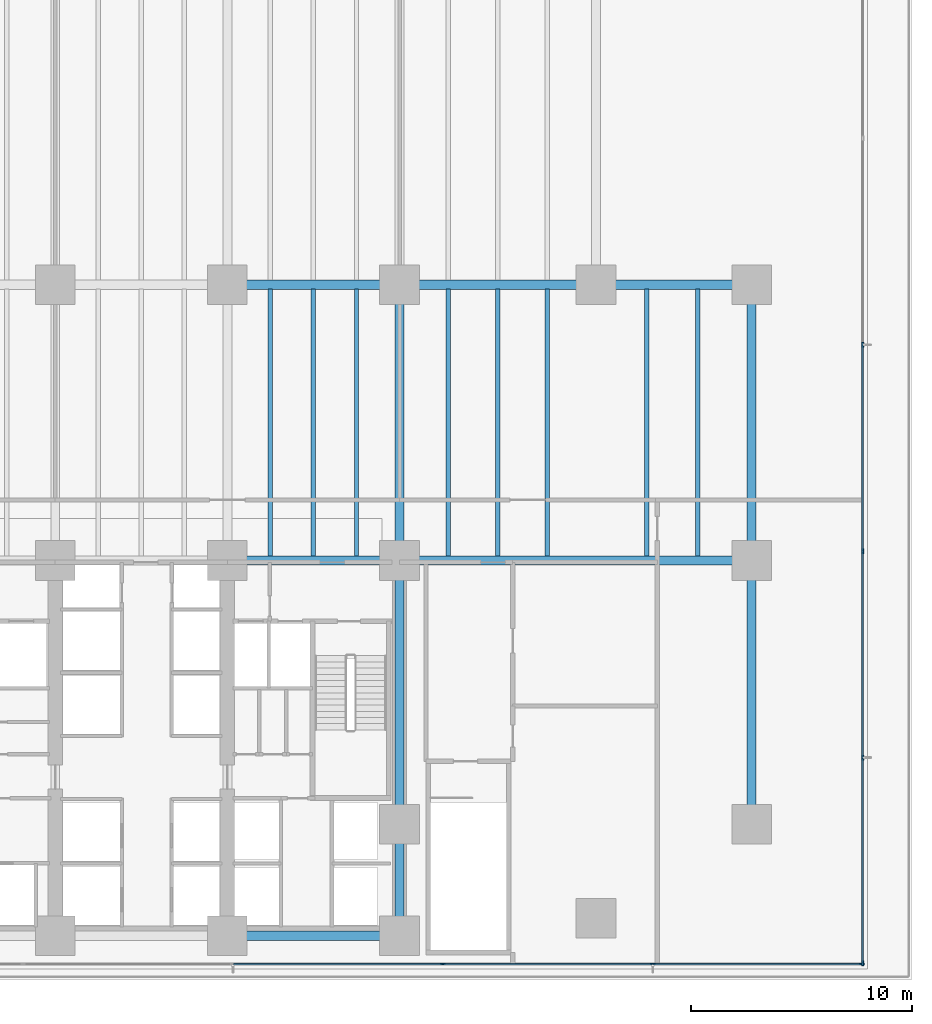
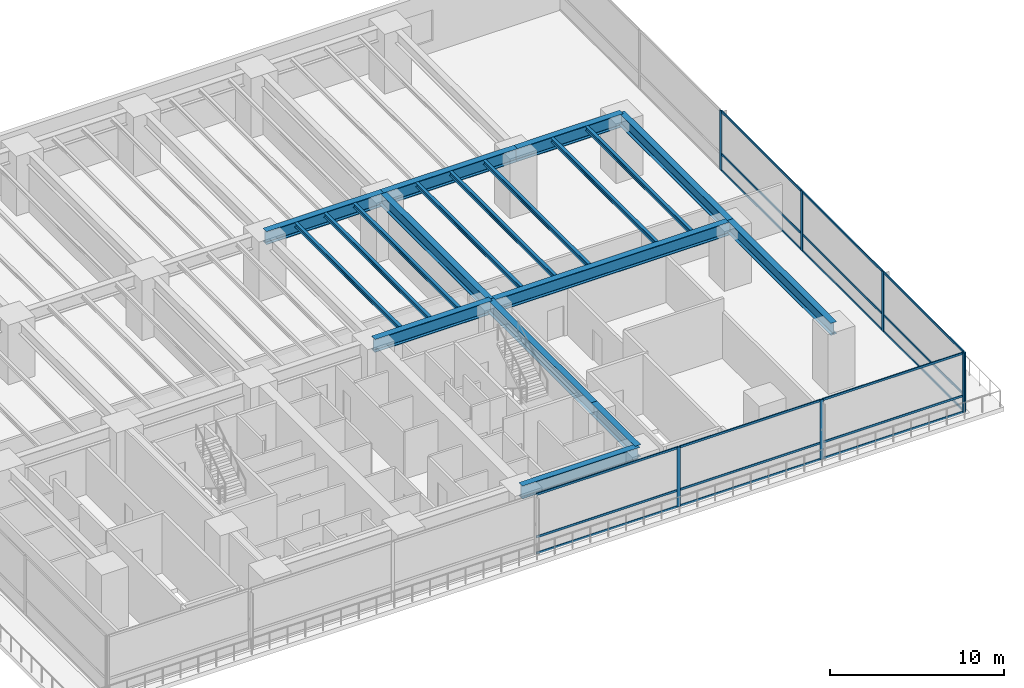
# One storey, part 3 of 21: 25 members, 19 beams, 2 elements without a shape of their own.
"""IFC4 building model written with IfcOpenShell, lengths in metres."""

from ifc_helpers import new_model, si_unit, direction, frame, origin, origin_2d, place, context, subcontext, project, spatial, rectangle, i_section, extrude, material, layer, layer_set, material_profile, profile_set, type_object, element, aggregate, save


model = new_model("IFC4")

# Units and contexts
model_context = context("Model", 3, precision=1e-05, world=origin(), true_north=direction((0.0, 1.0)))
body_context = subcontext(model_context, "Body", "Model", "MODEL_VIEW")
ifc_project = project(units=[si_unit("LENGTHUNIT", "METRE"), si_unit("AREAUNIT", "SQUARE_METRE"), si_unit("VOLUMEUNIT", "CUBIC_METRE"), si_unit("PLANEANGLEUNIT", "RADIAN"), si_unit("MASSUNIT", "GRAM", prefix="KILO")], contexts=[model_context])

# Site, building, storey
site_placement = place(None, origin())
site = spatial("IfcSite", under=ifc_project, at=site_placement, CompositionType="ELEMENT")
building_placement = place(site_placement, origin())
building = spatial("IfcBuilding", under=site, at=building_placement, Name="Qalmaran Belvedere Hotel", CompositionType="ELEMENT")
storey_placement = place(building_placement, frame((0.0, 0.0, 23.800048828125)))
storey = spatial("IfcBuildingStorey", under=building, at=storey_placement, Name="L05", CompositionType="ELEMENT", Elevation=23.800048828125)

# Beams
ifc_material_1 = material(Name="Steel S355JR", Category="steel")
ifc_material_profile_1 = material_profile(ifc_material_1, i_section(OverallWidth=0.202880859375, OverallDepth=0.302978515625, WebThickness=0.007568359375, FlangeThickness=0.01318359375, FilletRadius=0.012939453125, at=origin_2d()), Name="W310X60")
ifc_profile_set_1 = profile_set([ifc_material_profile_1], Name="Steel S355JR")
beam_type_1 = type_object("IfcBeamType", Name="BM-JST-W310X60", PredefinedType="JOIST", material=ifc_profile_set_1)
for number, where, z_axis, x_axis, name in (
    (1, (38.949951171875, 20.7080078125, 4.04833984375), (0.0, 1.0, 0.0), (-1.0, 0.0, 0.0), "L05 Podium South-Ballroom Joist 055"),
    (2, (40.89990234375, 20.7080078125, 4.04833984375), (0.0, 1.0, 0.0), (-1.0, 0.0, 0.0), "L05 Podium South-Ballroom Joist 057"),
    (3, (42.85009765625, 20.7080078125, 4.04833984375), (0.0, 1.0, 0.0), (-1.0, 0.0, 0.0), "L05 Podium South-Ballroom Joist 059"),
    (4, (47.0, 20.7080078125, 4.04833984375), (0.0, 1.0, 0.0), (-1.0, 0.0, 0.0), "L05 Podium South-Ballroom Joist 061"),
    (5, (49.25, 20.7080078125, 4.04833984375), (0.0, 1.0, 0.0), (-1.0, 0.0, 0.0), "L05 Podium South-Ballroom Joist 063"),
    (6, (51.5, 20.7080078125, 4.04833984375), (0.0, 1.0, 0.0), (-1.0, 0.0, 0.0), "L05 Podium South-Ballroom Joist 065"),
    (7, (56.0, 20.7080078125, 4.04833984375), (0.0, 1.0, 0.0), (-1.0, 0.0, 0.0), "L05 Podium South-Ballroom Joist 067"),
    (8, (58.300048828125, 20.7080078125, 4.04833984375), (0.0, 1.0, 0.0), (-1.0, 0.0, 0.0), "L05 Podium South-Ballroom Joist 068"),
):
    element("IfcBeam", number, at=place(storey_placement, frame(where, z_axis=z_axis, x_axis=x_axis)), inside=storey, type_object=beam_type_1, Name=name, PredefinedType="JOIST", context=body_context, shape_type="SweptSolid", body=[
        extrude(i_section(OverallWidth=0.202880859375, OverallDepth=0.302978515625, WebThickness=0.007568359375, FlangeThickness=0.01318359375, FilletRadius=0.012939453125, at=origin_2d()), origin(), (0.0, 0.0, 1.0), 12.083984375),
    ])
ifc_material_profile_2 = material_profile(ifc_material_1, i_section(OverallWidth=0.419921875, OverallDepth=0.9208984375, WebThickness=0.021240234375, FlangeThickness=0.03662109375, FilletRadius=0.02392578125, at=origin_2d()), Name="W920X387")
ifc_profile_set_2 = profile_set([ifc_material_profile_2], Name="Steel S355JR")
beam_type_2 = type_object("IfcBeamType", Name="BM-PG1-W920X387", PredefinedType="USERDEFINED", material=ifc_profile_set_2)
for number, where, z_axis, x_axis, name in (
    (9, (37.0, 3.5, 3.739501953125), (1.0, 0.0, 0.0), (0.0, 1.0, 0.0), "L05 Podium Primary Girder GX03"),
    (10, (37.0, 20.5, 3.739501953125), (1.0, 0.0, 0.0), (0.0, 1.0, 0.0), "L05 Podium Primary Girder GX10"),
):
    element("IfcBeam", number, at=place(storey_placement, frame(where, z_axis=z_axis, x_axis=x_axis)), inside=storey, type_object=beam_type_2, Name=name, ObjectType="GIRDER", PredefinedType="USERDEFINED", context=body_context, shape_type="SweptSolid", body=[
        extrude(i_section(OverallWidth=0.419921875, OverallDepth=0.9208984375, WebThickness=0.021240234375, FlangeThickness=0.03662109375, FilletRadius=0.02392578125, at=origin_2d()), origin(), (0.0, 0.0, 1.0), 7.800048828125),
    ])
beam_1_placement = place(storey_placement, frame((44.800048828125, 20.5, 3.739501953125), z_axis=(1.0, 0.0, 0.0), x_axis=(0.0, 1.0, 0.0)))
element("IfcBeam", 11, at=beam_1_placement, inside=storey, type_object=beam_type_2, Name="L05 Podium Primary Girder GX11", ObjectType="GIRDER", PredefinedType="USERDEFINED", context=body_context, shape_type="SweptSolid", body=[
    extrude(i_section(OverallWidth=0.419921875, OverallDepth=0.9208984375, WebThickness=0.021240234375, FlangeThickness=0.03662109375, FilletRadius=0.02392578125, at=origin_2d()), origin(), (0.0, 0.0, 1.0), 15.949951171875),
])
beam_2_placement = place(storey_placement, frame((37.0, 33.0, 3.739501953125), z_axis=(1.0, 0.0, 0.0), x_axis=(0.0, 1.0, 0.0)))
element("IfcBeam", 12, at=beam_2_placement, inside=storey, type_object=beam_type_2, Name="L05 Podium Primary Girder GX15", ObjectType="GIRDER", PredefinedType="USERDEFINED", context=body_context, shape_type="SweptSolid", body=[
    extrude(i_section(OverallWidth=0.419921875, OverallDepth=0.9208984375, WebThickness=0.021240234375, FlangeThickness=0.03662109375, FilletRadius=0.02392578125, at=origin_2d()), origin(), (0.0, 0.0, 1.0), 7.800048828125),
])
beam_3_placement = place(storey_placement, frame((44.800048828125, 33.0, 3.739501953125), z_axis=(1.0, 0.0, 0.0), x_axis=(0.0, 1.0, 0.0)))
element("IfcBeam", 13, at=beam_3_placement, inside=storey, type_object=beam_type_2, Name="L05 Podium Primary Girder GX16", ObjectType="GIRDER", PredefinedType="USERDEFINED", context=body_context, shape_type="SweptSolid", body=[
    extrude(i_section(OverallWidth=0.419921875, OverallDepth=0.9208984375, WebThickness=0.021240234375, FlangeThickness=0.03662109375, FilletRadius=0.02392578125, at=origin_2d()), origin(), (0.0, 0.0, 1.0), 8.89990234375),
])
beam_4_placement = place(storey_placement, frame((53.699951171875, 33.0, 3.739501953125), z_axis=(1.0, 0.0, 0.0), x_axis=(0.0, 1.0, 0.0)))
element("IfcBeam", 14, at=beam_4_placement, inside=storey, type_object=beam_type_2, Name="L05 Podium Primary Girder GX17", ObjectType="GIRDER", PredefinedType="USERDEFINED", context=body_context, shape_type="SweptSolid", body=[
    extrude(i_section(OverallWidth=0.419921875, OverallDepth=0.9208984375, WebThickness=0.021240234375, FlangeThickness=0.03662109375, FilletRadius=0.02392578125, at=origin_2d()), origin(), (0.0, 0.0, 1.0), 7.050048828125),
])
ifc_material_profile_3 = material_profile(ifc_material_1, i_section(OverallWidth=0.39990234375, OverallDepth=0.85498046875, WebThickness=0.018310546875, FlangeThickness=0.029296875, FilletRadius=0.02392578125, at=origin_2d()), Name="W840X299")
ifc_profile_set_3 = profile_set([ifc_material_profile_3], Name="Steel S355JR")
beam_type_3 = type_object("IfcBeamType", Name="BM-PG3-W840X299", PredefinedType="USERDEFINED", material=ifc_profile_set_3)
beam_5_placement = place(storey_placement, frame((44.800048828125, 3.5, 3.7724609375), z_axis=(0.0, 1.0, 0.0), x_axis=(-1.0, 0.0, 0.0)))
element("IfcBeam", 15, at=beam_5_placement, inside=storey, type_object=beam_type_3, Name="L05 Podium Transverse Girder GY34", ObjectType="GIRDER", PredefinedType="USERDEFINED", context=body_context, shape_type="SweptSolid", body=[
    extrude(i_section(OverallWidth=0.39990234375, OverallDepth=0.85498046875, WebThickness=0.018310546875, FlangeThickness=0.029296875, FilletRadius=0.02392578125, at=origin_2d()), origin(), (0.0, 0.0, 1.0), 5.050048828125),
])
beam_6_placement = place(storey_placement, frame((44.800048828125, 8.550048828125, 3.7724609375), z_axis=(0.0, 1.0, 0.0), x_axis=(-1.0, 0.0, 0.0)))
element("IfcBeam", 16, at=beam_6_placement, inside=storey, type_object=beam_type_3, Name="L05 Podium Transverse Girder GY35", ObjectType="GIRDER", PredefinedType="USERDEFINED", context=body_context, shape_type="SweptSolid", body=[
    extrude(i_section(OverallWidth=0.39990234375, OverallDepth=0.85498046875, WebThickness=0.018310546875, FlangeThickness=0.029296875, FilletRadius=0.02392578125, at=origin_2d()), origin(), (0.0, 0.0, 1.0), 11.949951171875),
])
beam_7_placement = place(storey_placement, frame((44.800048828125, 20.5, 3.7724609375), z_axis=(0.0, 1.0, 0.0), x_axis=(-1.0, 0.0, 0.0)))
element("IfcBeam", 17, at=beam_7_placement, inside=storey, type_object=beam_type_3, Name="L05 Podium Transverse Girder GY36", ObjectType="GIRDER", PredefinedType="USERDEFINED", context=body_context, shape_type="SweptSolid", body=[
    extrude(i_section(OverallWidth=0.39990234375, OverallDepth=0.85498046875, WebThickness=0.018310546875, FlangeThickness=0.029296875, FilletRadius=0.02392578125, at=origin_2d()), origin(), (0.0, 0.0, 1.0), 12.5),
])
beam_8_placement = place(storey_placement, frame((60.75, 8.550048828125, 3.7724609375), z_axis=(0.0, 1.0, 0.0), x_axis=(-1.0, 0.0, 0.0)))
element("IfcBeam", 18, at=beam_8_placement, inside=storey, type_object=beam_type_3, Name="L05 Podium Transverse Girder GY39", ObjectType="GIRDER", PredefinedType="USERDEFINED", context=body_context, shape_type="SweptSolid", body=[
    extrude(i_section(OverallWidth=0.39990234375, OverallDepth=0.85498046875, WebThickness=0.018310546875, FlangeThickness=0.029296875, FilletRadius=0.02392578125, at=origin_2d()), origin(), (0.0, 0.0, 1.0), 11.949951171875),
])
beam_9_placement = place(storey_placement, frame((60.75, 20.5, 3.7724609375), z_axis=(0.0, 1.0, 0.0), x_axis=(-1.0, 0.0, 0.0)))
element("IfcBeam", 19, at=beam_9_placement, inside=storey, type_object=beam_type_3, Name="L05 Podium Transverse Girder GY40", ObjectType="GIRDER", PredefinedType="USERDEFINED", context=body_context, shape_type="SweptSolid", body=[
    extrude(i_section(OverallWidth=0.39990234375, OverallDepth=0.85498046875, WebThickness=0.018310546875, FlangeThickness=0.029296875, FilletRadius=0.02392578125, at=origin_2d()), origin(), (0.0, 0.0, 1.0), 12.5),
])

# Curtain wall, members
ifc_material_2 = material(Name="Anodised Bronze Aluminium", Category="aluminium")
ifc_layer = layer(ifc_material_2, 0.219970703125, Name="Anodised Bronze Aluminium")
ifc_layer_set = layer_set([ifc_layer], Name="Anodised Bronze Aluminium")
curtain_wall_type = type_object("IfcCurtainWallType", Name="CW1-PODIUM-BRONZE", PredefinedType="NOTDEFINED", material=ifc_layer_set)
curtain_wall_1_placement = place(storey_placement, origin())
curtain_wall_1 = element("IfcCurtainWall", 20, at=curtain_wall_1_placement, inside=storey, type_object=curtain_wall_type, Name="L05 Curtain Wall CW1", PredefinedType="NOTDEFINED")
ifc_material_profile_4 = material_profile(ifc_material_2, rectangle(XDim=0.074951171875, YDim=0.219970703125, at=origin_2d()), Name="CWM75X220")
ifc_profile_set_4 = profile_set([ifc_material_profile_4], Name="Anodised Bronze Aluminium")
member_type_1 = type_object("IfcMemberType", Name="CWM-75X220", PredefinedType="MULLION", material=ifc_profile_set_4)
member_1_placement = place(storey_placement, frame((46.760009765625, 2.219970703125, 0.0), z_axis=(0.0, 0.0, 1.0), x_axis=(0.0, 1.0, 0.0)))
member_1 = element("IfcMember", 21, at=member_1_placement, type_object=member_type_1, Name="CW1 mullion 5", PredefinedType="MULLION", context=body_context, shape_type="SweptSolid", body=[
    extrude(rectangle(XDim=0.074951171875, YDim=0.219970703125, at=origin_2d()), origin(), (0.0, 0.0, 1.0), 4.199951171875),
])
member_2_placement = place(storey_placement, frame((56.27001953125, 2.219970703125, 0.0), z_axis=(0.0, 0.0, 1.0), x_axis=(0.0, 1.0, 0.0)))
member_2 = element("IfcMember", 22, at=member_2_placement, type_object=member_type_1, Name="CW1 mullion 6", PredefinedType="MULLION", context=body_context, shape_type="SweptSolid", body=[
    extrude(rectangle(XDim=0.074951171875, YDim=0.219970703125, at=origin_2d()), origin(), (0.0, 0.0, 1.0), 4.199951171875),
])
member_3_placement = place(storey_placement, frame((65.742431640625, 2.219970703125, 0.0), z_axis=(0.0, 0.0, 1.0), x_axis=(0.0, 1.0, 0.0)))
member_3 = element("IfcMember", 23, at=member_3_placement, type_object=member_type_1, Name="CW1 mullion 7", PredefinedType="MULLION", context=body_context, shape_type="SweptSolid", body=[
    extrude(rectangle(XDim=0.074951171875, YDim=0.219970703125, at=origin_2d()), origin(), (0.0, 0.0, 1.0), 4.199951171875),
])

curtain_wall_2_placement = place(storey_placement, origin())
curtain_wall_2 = element("IfcCurtainWall", 24, at=curtain_wall_2_placement, inside=storey, type_object=curtain_wall_type, Name="L05 Curtain Wall CW1", PredefinedType="NOTDEFINED")
member_4_placement = place(storey_placement, frame((65.780029296875, 2.257568359375, 0.0), z_axis=(0.0, 0.0, 1.0), x_axis=(-1.0, 0.0, 0.0)))
member_4 = element("IfcMember", 25, at=member_4_placement, type_object=member_type_1, Name="CW1 mullion 1", PredefinedType="MULLION", context=body_context, shape_type="SweptSolid", body=[
    extrude(rectangle(XDim=0.074951171875, YDim=0.219970703125, at=origin_2d()), origin(), (0.0, 0.0, 1.0), 4.199951171875),
])
member_5_placement = place(storey_placement, frame((65.780029296875, 11.572021484375, 0.0), z_axis=(0.0, 0.0, 1.0), x_axis=(-1.0, 0.0, 0.0)))
member_5 = element("IfcMember", 26, at=member_5_placement, type_object=member_type_1, Name="CW1 mullion 2", PredefinedType="MULLION", context=body_context, shape_type="SweptSolid", body=[
    extrude(rectangle(XDim=0.074951171875, YDim=0.219970703125, at=origin_2d()), origin(), (0.0, 0.0, 1.0), 4.199951171875),
])
member_6_placement = place(storey_placement, frame((65.780029296875, 20.924072265625, 0.0), z_axis=(0.0, 0.0, 1.0), x_axis=(-1.0, 0.0, 0.0)))
member_6 = element("IfcMember", 27, at=member_6_placement, type_object=member_type_1, Name="CW1 mullion 3", PredefinedType="MULLION", context=body_context, shape_type="SweptSolid", body=[
    extrude(rectangle(XDim=0.074951171875, YDim=0.219970703125, at=origin_2d()), origin(), (0.0, 0.0, 1.0), 4.199951171875),
])
member_7_placement = place(storey_placement, frame((65.780029296875, 30.27587890625, 0.0), z_axis=(0.0, 0.0, 1.0), x_axis=(-1.0, 0.0, 0.0)))
member_7 = element("IfcMember", 28, at=member_7_placement, type_object=member_type_1, Name="CW1 mullion 4", PredefinedType="MULLION", context=body_context, shape_type="SweptSolid", body=[
    extrude(rectangle(XDim=0.074951171875, YDim=0.219970703125, at=origin_2d()), origin(), (0.0, 0.0, 1.0), 4.199951171875),
])

# Member
ifc_material_profile_5 = material_profile(ifc_material_2, rectangle(XDim=0.070068359375, YDim=0.14990234375, at=origin_2d()), Name="CWT70X150")
ifc_profile_set_5 = profile_set([ifc_material_profile_5], Name="Anodised Bronze Aluminium")
member_type_2 = type_object("IfcMemberType", Name="CWT-70X150", PredefinedType="USERDEFINED", material=ifc_profile_set_5)
member_8_placement = place(storey_placement, frame((37.28759765625, 2.219970703125, 0.034912109375), z_axis=(1.0, 0.0, 0.0), x_axis=(0.0, 1.0, 0.0)))
member_8 = element("IfcMember", 29, at=member_8_placement, type_object=member_type_2, Name="CW1 transom 4.1", ObjectType="TRANSOM", PredefinedType="USERDEFINED", context=body_context, shape_type="SweptSolid", body=[
    extrude(rectangle(XDim=0.070068359375, YDim=0.14990234375, at=origin_2d()), origin(), (0.0, 0.0, 1.0), 9.434814453125),
])

member_9_placement = place(storey_placement, frame((37.28759765625, 2.219970703125, 1.176025390625), z_axis=(1.0, 0.0, 0.0), x_axis=(0.0, 1.0, 0.0)))
member_9 = element("IfcMember", 30, at=member_9_placement, type_object=member_type_2, Name="CW1 transom 4.2", ObjectType="TRANSOM", PredefinedType="USERDEFINED", context=body_context, shape_type="SweptSolid", body=[
    extrude(rectangle(XDim=0.070068359375, YDim=0.14990234375, at=origin_2d()), origin(), (0.0, 0.0, 1.0), 9.434814453125),
])

member_10_placement = place(storey_placement, frame((37.28759765625, 2.219970703125, 4.1650390625), z_axis=(1.0, 0.0, 0.0), x_axis=(0.0, 1.0, 0.0)))
member_10 = element("IfcMember", 31, at=member_10_placement, type_object=member_type_2, Name="CW1 transom 4.3", ObjectType="TRANSOM", PredefinedType="USERDEFINED", context=body_context, shape_type="SweptSolid", body=[
    extrude(rectangle(XDim=0.070068359375, YDim=0.14990234375, at=origin_2d()), origin(), (0.0, 0.0, 1.0), 9.434814453125),
])

member_11_placement = place(storey_placement, frame((46.797607421875, 2.219970703125, 0.034912109375), z_axis=(1.0, 0.0, 0.0), x_axis=(0.0, 1.0, 0.0)))
member_11 = element("IfcMember", 32, at=member_11_placement, type_object=member_type_2, Name="CW1 transom 5.1", ObjectType="TRANSOM", PredefinedType="USERDEFINED", context=body_context, shape_type="SweptSolid", body=[
    extrude(rectangle(XDim=0.070068359375, YDim=0.14990234375, at=origin_2d()), origin(), (0.0, 0.0, 1.0), 9.434814453125),
])

member_12_placement = place(storey_placement, frame((46.797607421875, 2.219970703125, 1.176025390625), z_axis=(1.0, 0.0, 0.0), x_axis=(0.0, 1.0, 0.0)))
member_12 = element("IfcMember", 33, at=member_12_placement, type_object=member_type_2, Name="CW1 transom 5.2", ObjectType="TRANSOM", PredefinedType="USERDEFINED", context=body_context, shape_type="SweptSolid", body=[
    extrude(rectangle(XDim=0.070068359375, YDim=0.14990234375, at=origin_2d()), origin(), (0.0, 0.0, 1.0), 9.434814453125),
])

member_13_placement = place(storey_placement, frame((46.797607421875, 2.219970703125, 4.1650390625), z_axis=(1.0, 0.0, 0.0), x_axis=(0.0, 1.0, 0.0)))
member_13 = element("IfcMember", 34, at=member_13_placement, type_object=member_type_2, Name="CW1 transom 5.3", ObjectType="TRANSOM", PredefinedType="USERDEFINED", context=body_context, shape_type="SweptSolid", body=[
    extrude(rectangle(XDim=0.070068359375, YDim=0.14990234375, at=origin_2d()), origin(), (0.0, 0.0, 1.0), 9.434814453125),
])

member_14_placement = place(storey_placement, frame((56.3076171875, 2.219970703125, 0.034912109375), z_axis=(1.0, 0.0, 0.0), x_axis=(0.0, 1.0, 0.0)))
member_14 = element("IfcMember", 35, at=member_14_placement, type_object=member_type_2, Name="CW1 transom 6.1", ObjectType="TRANSOM", PredefinedType="USERDEFINED", context=body_context, shape_type="SweptSolid", body=[
    extrude(rectangle(XDim=0.070068359375, YDim=0.14990234375, at=origin_2d()), origin(), (0.0, 0.0, 1.0), 9.3974609375),
])

member_15_placement = place(storey_placement, frame((56.3076171875, 2.219970703125, 1.176025390625), z_axis=(1.0, 0.0, 0.0), x_axis=(0.0, 1.0, 0.0)))
member_15 = element("IfcMember", 36, at=member_15_placement, type_object=member_type_2, Name="CW1 transom 6.2", ObjectType="TRANSOM", PredefinedType="USERDEFINED", context=body_context, shape_type="SweptSolid", body=[
    extrude(rectangle(XDim=0.070068359375, YDim=0.14990234375, at=origin_2d()), origin(), (0.0, 0.0, 1.0), 9.3974609375),
])

member_16_placement = place(storey_placement, frame((56.3076171875, 2.219970703125, 4.1650390625), z_axis=(1.0, 0.0, 0.0), x_axis=(0.0, 1.0, 0.0)))
member_16 = element("IfcMember", 37, at=member_16_placement, type_object=member_type_2, Name="CW1 transom 6.3", ObjectType="TRANSOM", PredefinedType="USERDEFINED", context=body_context, shape_type="SweptSolid", body=[
    extrude(rectangle(XDim=0.070068359375, YDim=0.14990234375, at=origin_2d()), origin(), (0.0, 0.0, 1.0), 9.3974609375),
])

aggregate(curtain_wall_1, [member_1, member_2, member_3, member_8, member_9, member_10, member_11, member_12, member_13, member_14, member_15, member_16])

member_17_placement = place(storey_placement, frame((65.780029296875, 2.294921875, 0.034912109375), z_axis=(0.0, 1.0, 0.0), x_axis=(-1.0, 0.0, 0.0)))
member_17 = element("IfcMember", 38, at=member_17_placement, type_object=member_type_2, Name="CW1 transom 1.1", ObjectType="TRANSOM", PredefinedType="USERDEFINED", context=body_context, shape_type="SweptSolid", body=[
    extrude(rectangle(XDim=0.070068359375, YDim=0.14990234375, at=origin_2d()), origin(), (0.0, 0.0, 1.0), 9.239501953125),
])

member_18_placement = place(storey_placement, frame((65.780029296875, 2.294921875, 1.176025390625), z_axis=(0.0, 1.0, 0.0), x_axis=(-1.0, 0.0, 0.0)))
member_18 = element("IfcMember", 39, at=member_18_placement, type_object=member_type_2, Name="CW1 transom 1.2", ObjectType="TRANSOM", PredefinedType="USERDEFINED", context=body_context, shape_type="SweptSolid", body=[
    extrude(rectangle(XDim=0.070068359375, YDim=0.14990234375, at=origin_2d()), origin(), (0.0, 0.0, 1.0), 9.239501953125),
])

member_19_placement = place(storey_placement, frame((65.780029296875, 2.294921875, 4.1650390625), z_axis=(0.0, 1.0, 0.0), x_axis=(-1.0, 0.0, 0.0)))
member_19 = element("IfcMember", 40, at=member_19_placement, type_object=member_type_2, Name="CW1 transom 1.3", ObjectType="TRANSOM", PredefinedType="USERDEFINED", context=body_context, shape_type="SweptSolid", body=[
    extrude(rectangle(XDim=0.070068359375, YDim=0.14990234375, at=origin_2d()), origin(), (0.0, 0.0, 1.0), 9.239501953125),
])

member_20_placement = place(storey_placement, frame((65.780029296875, 11.609619140625, 0.034912109375), z_axis=(0.0, 1.0, 0.0), x_axis=(-1.0, 0.0, 0.0)))
member_20 = element("IfcMember", 41, at=member_20_placement, type_object=member_type_2, Name="CW1 transom 2.1", ObjectType="TRANSOM", PredefinedType="USERDEFINED", context=body_context, shape_type="SweptSolid", body=[
    extrude(rectangle(XDim=0.070068359375, YDim=0.14990234375, at=origin_2d()), origin(), (0.0, 0.0, 1.0), 9.27685546875),
])

member_21_placement = place(storey_placement, frame((65.780029296875, 11.609619140625, 1.176025390625), z_axis=(0.0, 1.0, 0.0), x_axis=(-1.0, 0.0, 0.0)))
member_21 = element("IfcMember", 42, at=member_21_placement, type_object=member_type_2, Name="CW1 transom 2.2", ObjectType="TRANSOM", PredefinedType="USERDEFINED", context=body_context, shape_type="SweptSolid", body=[
    extrude(rectangle(XDim=0.070068359375, YDim=0.14990234375, at=origin_2d()), origin(), (0.0, 0.0, 1.0), 9.27685546875),
])

member_22_placement = place(storey_placement, frame((65.780029296875, 11.609619140625, 4.1650390625), z_axis=(0.0, 1.0, 0.0), x_axis=(-1.0, 0.0, 0.0)))
member_22 = element("IfcMember", 43, at=member_22_placement, type_object=member_type_2, Name="CW1 transom 2.3", ObjectType="TRANSOM", PredefinedType="USERDEFINED", context=body_context, shape_type="SweptSolid", body=[
    extrude(rectangle(XDim=0.070068359375, YDim=0.14990234375, at=origin_2d()), origin(), (0.0, 0.0, 1.0), 9.27685546875),
])

member_23_placement = place(storey_placement, frame((65.780029296875, 20.96142578125, 0.034912109375), z_axis=(0.0, 1.0, 0.0), x_axis=(-1.0, 0.0, 0.0)))
member_23 = element("IfcMember", 44, at=member_23_placement, type_object=member_type_2, Name="CW1 transom 3.1", ObjectType="TRANSOM", PredefinedType="USERDEFINED", context=body_context, shape_type="SweptSolid", body=[
    extrude(rectangle(XDim=0.070068359375, YDim=0.14990234375, at=origin_2d()), origin(), (0.0, 0.0, 1.0), 9.277099609375),
])

member_24_placement = place(storey_placement, frame((65.780029296875, 20.96142578125, 1.176025390625), z_axis=(0.0, 1.0, 0.0), x_axis=(-1.0, 0.0, 0.0)))
member_24 = element("IfcMember", 45, at=member_24_placement, type_object=member_type_2, Name="CW1 transom 3.2", ObjectType="TRANSOM", PredefinedType="USERDEFINED", context=body_context, shape_type="SweptSolid", body=[
    extrude(rectangle(XDim=0.070068359375, YDim=0.14990234375, at=origin_2d()), origin(), (0.0, 0.0, 1.0), 9.277099609375),
])

member_25_placement = place(storey_placement, frame((65.780029296875, 20.96142578125, 4.1650390625), z_axis=(0.0, 1.0, 0.0), x_axis=(-1.0, 0.0, 0.0)))
member_25 = element("IfcMember", 46, at=member_25_placement, type_object=member_type_2, Name="CW1 transom 3.3", ObjectType="TRANSOM", PredefinedType="USERDEFINED", context=body_context, shape_type="SweptSolid", body=[
    extrude(rectangle(XDim=0.070068359375, YDim=0.14990234375, at=origin_2d()), origin(), (0.0, 0.0, 1.0), 9.277099609375),
])

aggregate(curtain_wall_2, [member_4, member_5, member_6, member_7, member_17, member_18, member_19, member_20, member_21, member_22, member_23, member_24, member_25])

save(model, "model.ifc")
